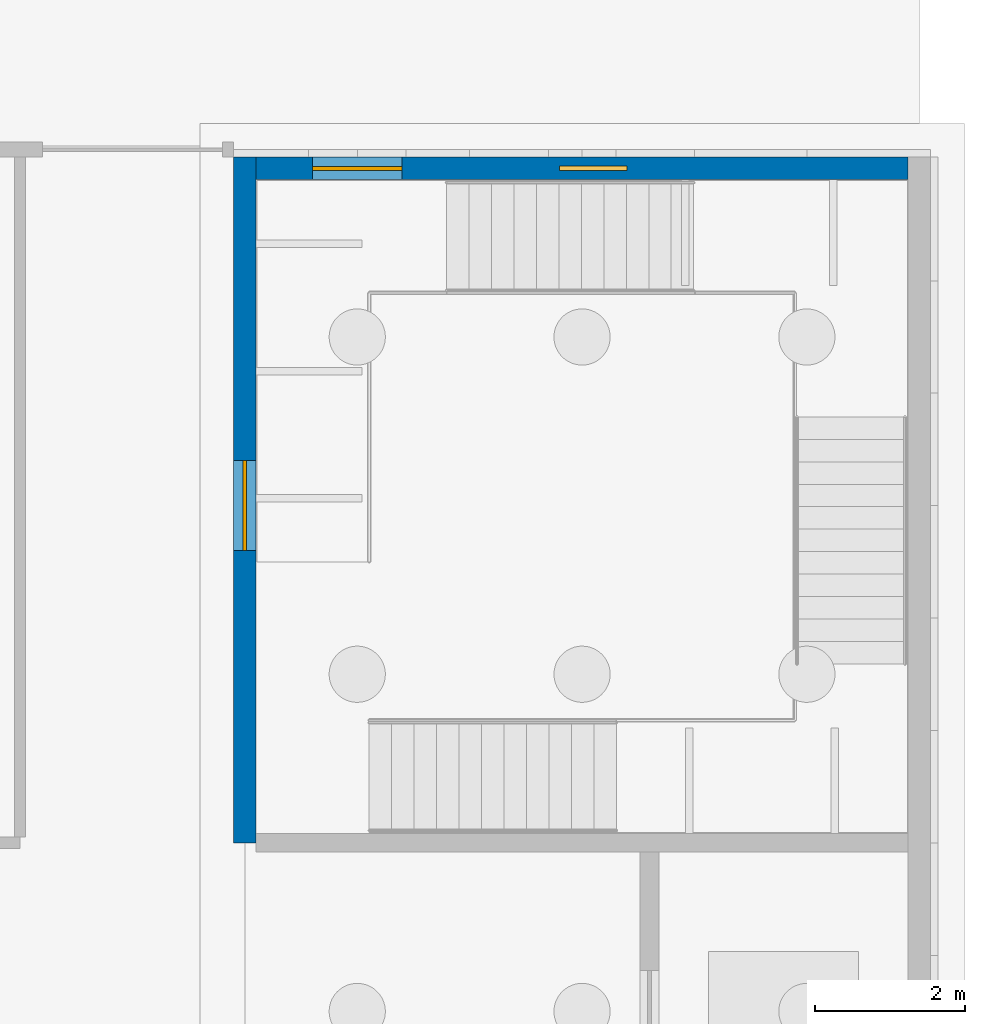
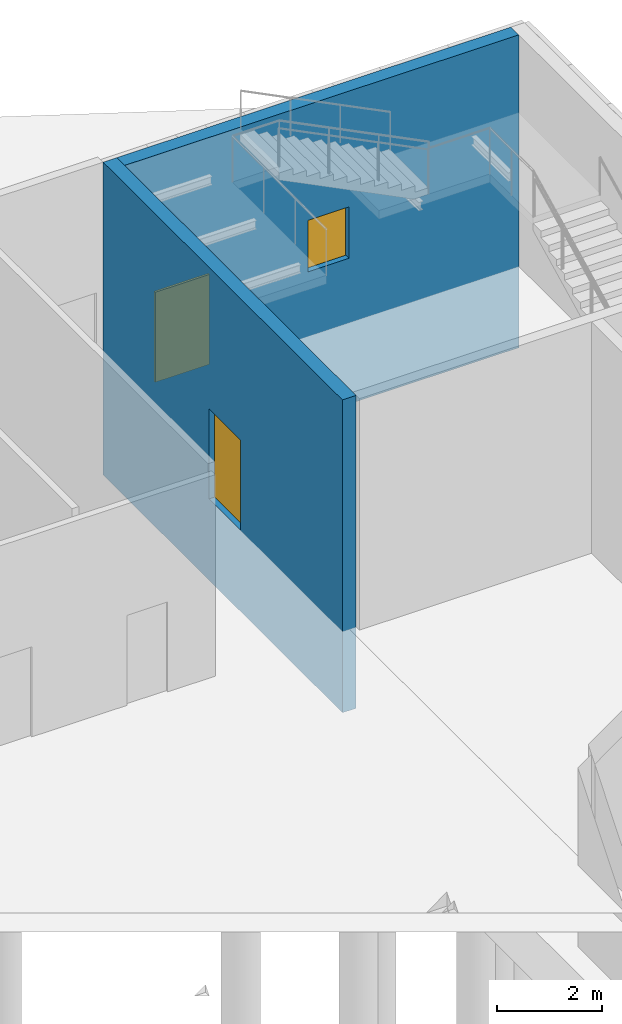
# One storey, part 33 of 45: 2 doors, 2 walls, 1 window, 3 openings.
"""IFC4 building model written with IfcOpenShell, lengths in metres."""

from ifc_helpers import new_model, si_unit, direction, frame, frame_2d, origin, place, context, subcontext, project, spatial, rectangle, extrude, material, layer, layer_set, type_object, element, fill, save


model = new_model("IFC4")

# Units and contexts
model_context = context("Model", 3, precision=1e-05, world=origin(), true_north=direction((0.0, 1.0)))
body_context = subcontext(model_context, "Body", "Model", "MODEL_VIEW")
ifc_project = project(units=[si_unit("LENGTHUNIT", "METRE"), si_unit("AREAUNIT", "SQUARE_METRE"), si_unit("VOLUMEUNIT", "CUBIC_METRE"), si_unit("PLANEANGLEUNIT", "RADIAN"), si_unit("MASSUNIT", "GRAM", prefix="KILO")], contexts=[model_context])

# Site, building, storey
site_placement = place(None, origin())
site = spatial("IfcSite", under=ifc_project, at=site_placement, CompositionType="ELEMENT")
building_placement = place(site_placement, origin())
building = spatial("IfcBuilding", under=site, at=building_placement, Name="Azimuth Sports and Learning Centre", CompositionType="ELEMENT")
storey_placement = place(building_placement, origin())
storey = spatial("IfcBuildingStorey", under=building, at=storey_placement, Name="L00", CompositionType="ELEMENT", Elevation=0.0)

# Wall, opening, door
ifc_material_1 = material(Name="Concrete C40/50", Category="concrete")
ifc_layer_1 = layer(ifc_material_1, 0.300048828125)
ifc_layer_set_1 = layer_set([ifc_layer_1], Name="Concrete C40/50")
wall_type_1 = type_object("IfcWallType", Name="RC core wall 300", PredefinedType="SHEAR", material=ifc_layer_set_1)
wall_1_placement = place(storey_placement, frame((162.0, 108.0, -1.89990234375), z_axis=(0.0, 0.0, 1.0), x_axis=(0.0, 1.0, 0.0)))
wall_1 = element("IfcWall", 1, at=wall_1_placement, inside=storey, type_object=wall_type_1, Name="Core wall EW WN L00", PredefinedType="SHEAR", context=body_context, shape_type="SweptSolid", body=[
    extrude(rectangle(XDim=9.14990234375, YDim=0.300048828125, at=frame_2d((4.574951171875, 0.0))), origin(), (0.0, 0.0, 1.0), 7.2998046875),
])
opening_1_placement = place(wall_1_placement, frame((3.89990234375, 0.0, 1.89990234375)))
opening_1 = element("IfcOpeningElement", 2, at=opening_1_placement, cuts=wall_1, Name="Opening D00-038", PredefinedType="OPENING", context=body_context, shape_type="SweptSolid", body=[
    extrude(rectangle(XDim=1.199951171875, YDim=2.10009765625, at=frame_2d((0.60009765625, 1.050048828125))), frame((0.0, 0.1611328125, 0.0), z_axis=(0.0, -1.0, 0.0), x_axis=(1.0, 0.0, 0.0)), (0.0, 0.0, 1.0), 0.322021484375),
])
ifc_material_2 = material(Name="Steel", Category="steel")
door_type = type_object("IfcDoorType", Name="Stair fire door 1200 x 2100", OperationType="NOTDEFINED", PredefinedType="DOOR", material=ifc_material_2)
door_1_placement = place(opening_1_placement, origin())
door_1 = element("IfcDoor", 3, at=door_1_placement, inside=storey, type_object=door_type, Name="Stair door EW2 L00", OperationType="SINGLE_SWING_LEFT", OverallHeight=2.10009765625, OverallWidth=1.199951171875, PredefinedType="DOOR", context=body_context, shape_type="SweptSolid", body=[
    extrude(rectangle(XDim=1.199951171875, YDim=2.10009765625, at=frame_2d((0.60009765625, 1.050048828125))), frame((0.0, 0.02490234375, 0.0), z_axis=(0.0, -1.0, 0.0), x_axis=(1.0, 0.0, 0.0)), (0.0, 0.0, 1.0), 0.050048828125),
])
fill(opening_1, door_1)

# Wall, openings, door, window
ifc_material_3 = material(Name="Concrete C40/50", Category="concrete")
ifc_layer_2 = layer(ifc_material_3, 0.300048828125)
ifc_layer_set_2 = layer_set([ifc_layer_2], Name="Concrete C40/50")
wall_type_2 = type_object("IfcWallType", Name="RC external core wall 300", PredefinedType="SHEAR", material=ifc_layer_set_2)
wall_2_placement = place(storey_placement, frame((162.14990234375, 117.0, -1.89990234375), z_axis=(0.0, 0.0, 1.0), x_axis=(1.0, 0.0, 0.0)))
wall_2 = element("IfcWall", 4, at=wall_2_placement, inside=storey, type_object=wall_type_2, Name="Core wall EW N L00", PredefinedType="SHEAR", context=body_context, shape_type="SweptSolid", body=[
    extrude(rectangle(XDim=8.7001953125, YDim=0.300048828125, at=frame_2d((4.35009765625, 0.0))), origin(), (0.0, 0.0, 1.0), 7.2998046875),
])
opening_2_placement = place(wall_2_placement, frame((4.050048828125, 0.0, 3.39990234375)))
opening_2 = element("IfcOpeningElement", 5, at=opening_2_placement, cuts=wall_2, Name="Opening W00-005", PredefinedType="OPENING", context=body_context, shape_type="SweptSolid", body=[
    extrude(rectangle(XDim=0.89990234375, YDim=1.199951171875, at=frame_2d((0.449951171875, 0.60009765625))), frame((0.0, 0.1611328125, 0.0), z_axis=(0.0, -1.0, 0.0), x_axis=(1.0, 0.0, 0.0)), (0.0, 0.0, 1.0), 0.322021484375),
])
opening_3_placement = place(wall_2_placement, frame((0.75, 0.0, 1.89990234375)))
opening_3 = element("IfcOpeningElement", 6, at=opening_3_placement, cuts=wall_2, Name="Opening D00-039", PredefinedType="OPENING", context=body_context, shape_type="SweptSolid", body=[
    extrude(rectangle(XDim=1.199951171875, YDim=2.10009765625, at=frame_2d((0.60009765625, 1.050048828125))), frame((0.0, 0.1611328125, 0.0), z_axis=(0.0, -1.0, 0.0), x_axis=(1.0, 0.0, 0.0)), (0.0, 0.0, 1.0), 0.322021484375),
])
door_2_placement = place(opening_3_placement, origin())
door_2 = element("IfcDoor", 7, at=door_2_placement, inside=storey, type_object=door_type, Name="Stair door EW2 L00 exit", OperationType="SINGLE_SWING_LEFT", OverallHeight=2.10009765625, OverallWidth=1.199951171875, PredefinedType="DOOR", context=body_context, shape_type="SweptSolid", body=[
    extrude(rectangle(XDim=1.199951171875, YDim=2.10009765625, at=frame_2d((0.60009765625, 1.050048828125))), frame((0.0, 0.02490234375, 0.0), z_axis=(0.0, -1.0, 0.0), x_axis=(1.0, 0.0, 0.0)), (0.0, 0.0, 1.0), 0.050048828125),
])
fill(opening_3, door_2)
ifc_material_4 = material(Name="Aluminium and glass", Category="aluminium")
window_type = type_object("IfcWindowType", Name="Stair window end core 900x1200", PartitioningType="SINGLE_PANEL", PredefinedType="WINDOW", material=ifc_material_4)
window_placement = place(opening_2_placement, origin())
window = element("IfcWindow", 8, at=window_placement, inside=storey, type_object=window_type, Name="Window W00-005", OverallHeight=1.199951171875, OverallWidth=0.89990234375, PartitioningType="SINGLE_PANEL", PredefinedType="WINDOW", context=body_context, shape_type="SweptSolid", body=[
    extrude(rectangle(XDim=0.89990234375, YDim=1.199951171875, at=frame_2d((0.449951171875, 0.60009765625))), frame((0.0, 0.030029296875, 0.0), z_axis=(0.0, -1.0, 0.0), x_axis=(1.0, 0.0, 0.0)), (0.0, 0.0, 1.0), 0.06005859375),
])
fill(opening_2, window)

save(model, "model.ifc")
